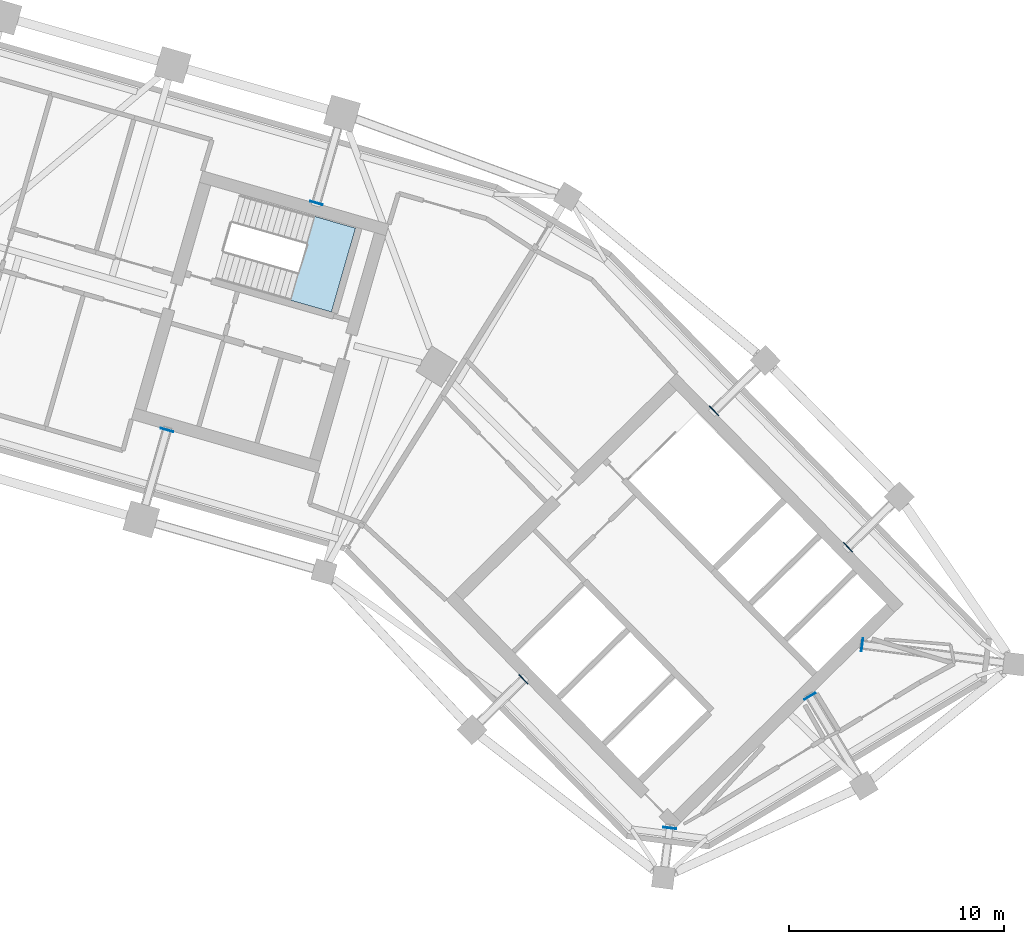
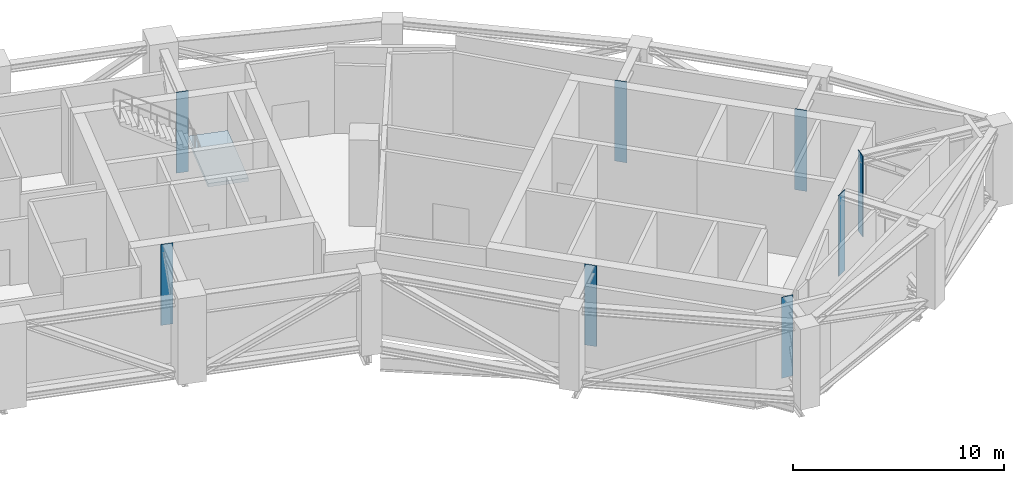
# One storey, part 8 of 16: 8 plates, 1 slab, 1 element without a shape of its own.
"""IFC4 building model written with IfcOpenShell, lengths in metres."""

from ifc_helpers import new_model, si_unit, direction, frame, origin, origin_2d, place, context, subcontext, project, spatial, polyline, rectangle, outline, extrude, material, layer, layer_set, type_object, element, aggregate, save


model = new_model("IFC4")

# Units and contexts
model_context = context("Model", 3, precision=1e-05, world=origin(), true_north=direction((0.0, 1.0)))
body_context = subcontext(model_context, "Body", "Model", "MODEL_VIEW")
ifc_project = project(units=[si_unit("LENGTHUNIT", "METRE"), si_unit("AREAUNIT", "SQUARE_METRE"), si_unit("VOLUMEUNIT", "CUBIC_METRE"), si_unit("PLANEANGLEUNIT", "RADIAN"), si_unit("MASSUNIT", "GRAM", prefix="KILO")], contexts=[model_context])

# Site, building, storey
site_placement = place(None, origin())
site = spatial("IfcSite", under=ifc_project, at=site_placement, CompositionType="ELEMENT")
building_placement = place(site_placement, origin())
building = spatial("IfcBuilding", under=site, at=building_placement, Name="Binnacle Exchange Tower", CompositionType="ELEMENT")
storey_placement = place(building_placement, frame((0.0, 0.0, 149.89990234375)))
storey = spatial("IfcBuildingStorey", under=building, at=storey_placement, Name="L31", CompositionType="ELEMENT", Elevation=149.89990234375)

# Plates
ifc_material_1 = material(Name="Steel S355 (SM355)", Category="steel")
ifc_layer_1 = layer(ifc_material_1, 0.0400390625)
ifc_layer_set_1 = layer_set([ifc_layer_1], Name="Cast-in plate 40")
plate_type = type_object("IfcPlateType", Name="Cast-in plate 40", PredefinedType="SHEET", material=ifc_layer_set_1)
for number, where, z_axis, x_axis, name in (
    (1, (35.0224609375, 36.8701171875, 0.0), (0.0, 0.0, 1.0), (0.713250449154, 0.7009092643, 0.0), "Cast-in plate CP-OT31 40"),
    (2, (41.811279296875, 29.967529296875, 0.0), (0.0, 0.0, 1.0), (0.126198969136, 0.99200494968, 0.0), "Cast-in plate CP-OT31 40"),
    (3, (43.8671875, 49.327392578125, 0.0), (0.0, 0.0, 1.0), (-0.713250449154, -0.7009092643, 0.0), "Cast-in plate CP-OT31 40"),
    (4, (48.315185546875, 36.086181640625, 0.0), (0.0, 0.0, 1.0), (-0.51503807491, 0.857167300702, 0.0), "Cast-in plate CP-OT31 40"),
    (5, (50.085693359375, 42.99951171875, 0.0), (0.0, 0.0, 1.0), (-0.713250449154, -0.7009092643, 0.0), "Cast-in plate CP-OT31 40"),
    (6, (50.744384765625, 38.478515625, 0.0), (0.0, 0.0, 1.0), (-0.99200494968, 0.126198969136, 0.0), "Cast-in plate CP-OT31 40"),
    (7, (18.4775390625, 48.439208984375, 0.0), (0.0, 0.0, 1.0), (0.275637355817, 0.961261695938, 0.0), "Cast-in plate CP-OT31 40"),
    (8, (25.413330078125, 58.9755859375, 0.0), (0.0, 0.0, 1.0), (-0.275637355817, -0.961261695938, 0.0), "Cast-in plate CP-OT31 40"),
):
    element("IfcPlate", number, at=place(storey_placement, frame(where, z_axis=z_axis, x_axis=x_axis)), inside=storey, type_object=plate_type, Name=name, PredefinedType="SHEET", context=body_context, shape_type="SweptSolid", body=[
        extrude(rectangle(XDim=0.0400390625, YDim=0.60009765625, at=origin_2d()), origin(), (0.0, 0.0, 1.0), 4.679931640625),
    ])

# Stair, slab
ifc_material_2 = material(Name="Concrete C35/45", Category="concrete")
stair_type = type_object("IfcStairType", Name="STAIR 28 RISERS 179", PredefinedType="HALF_TURN_STAIR", material=ifc_material_2)
stair_placement = place(storey_placement, origin())
stair = element("IfcStair", 9, at=stair_placement, inside=storey, type_object=stair_type, Name="L31 Escape stair D1", PredefinedType="HALF_TURN_STAIR")
ifc_layer_2 = layer(ifc_material_2, 0.199951171875)
ifc_layer_set_2 = layer_set([ifc_layer_2], Name="STAIR LANDING 200")
slab_type = type_object("IfcSlabType", Name="STAIR LANDING 200", PredefinedType="LANDING", material=ifc_layer_set_2)
slab_placement = place(storey_placement, frame((0.0, 0.0, 2.300048828125)))
slab = element("IfcSlab", 10, at=slab_placement, type_object=slab_type, Name="STD1 landing 1", PredefinedType="LANDING", context=body_context, shape_type="SweptSolid", body=[
    extrude(outline(polyline([(24.2080078125, 54.462890625), (26.111328125, 53.917236328125), (27.227783203125, 57.810302734375), (25.324462890625, 58.35595703125), (24.2080078125, 54.462890625)])), origin(), (0.0, 0.0, 1.0), 0.199951171875),
])
aggregate(stair, [slab])

save(model, "model.ifc")
